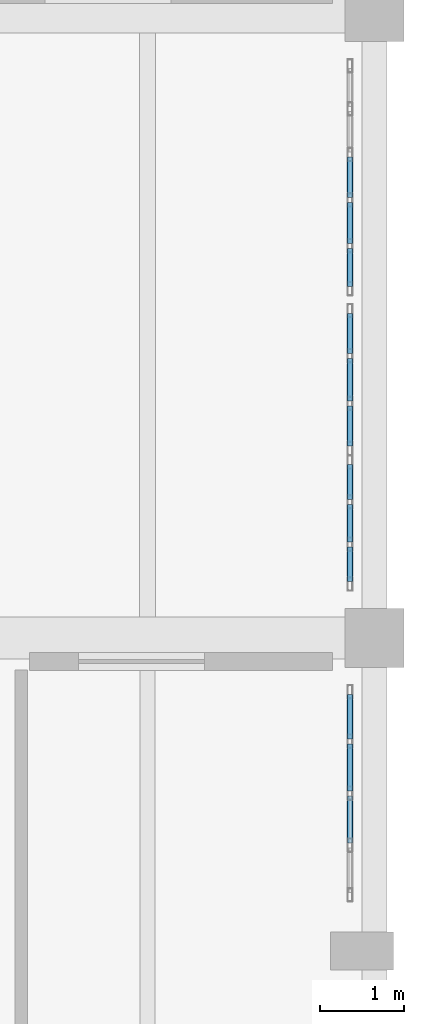
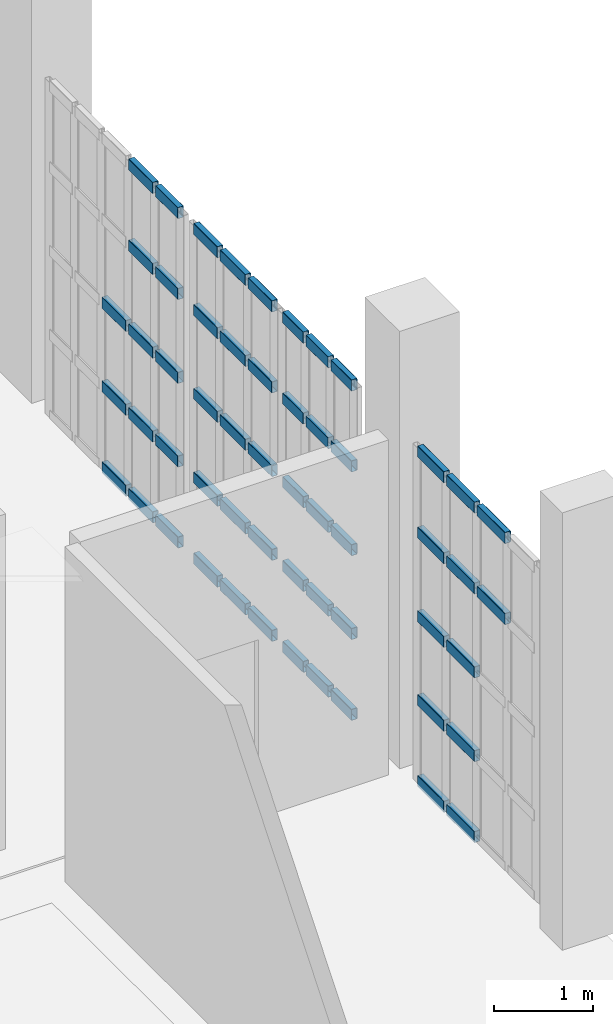
# One storey, part 318 of 372: 55 members, 4 elements without a shape of their own.
"""IFC4 building model written with IfcOpenShell, lengths in metres."""

import ifcopenshell
import ifcopenshell.guid

model = None  # the IFC model being written
_history = None  # IfcOwnerHistory: only IFC2X3 demands one
_inside = {}  # id of a spatial element -> (the spatial element, [elements in it])
_under = {}  # id of a project, library or spatial element -> (it, [spatial elements below it])
_declared = {}  # id of a project -> (the project, [libraries it declares])
_typed = {}  # id of a type object -> (the type object, [elements of that type])
_made_of = {}  # id of a material, layer set ... -> (it, [elements and type objects made of it])


def new_model(schema):
    """Start an empty IFC model of exactly this schema.

    Asked for "IFC4X3", IfcOpenShell would pick the latest addendum, in which some entities
    have other attributes; the version numbers below select the first issue.
    IFC2X3 requires an IfcOwnerHistory on every rooted entity: one is made here for all.
    """
    global model, _history
    if schema == "IFC4X3":
        model = ifcopenshell.file(schema_version=(4, 3, 0, 0))
    else:
        model = ifcopenshell.file(schema=schema)
    _inside.clear()
    _under.clear()
    _declared.clear()
    _typed.clear()
    _made_of.clear()
    _history = None
    if model.schema == "IFC2X3":
        org = make("IfcOrganization", Name="unknown")
        user = make(
            "IfcPersonAndOrganization",
            ThePerson=make("IfcPerson", FamilyName="unknown"),
            TheOrganization=org,
        )
        app = make(
            "IfcApplication",
            ApplicationDeveloper=org,
            Version="unknown",
            ApplicationFullName="unknown",
            ApplicationIdentifier="unknown",
        )
        _history = make(
            "IfcOwnerHistory",
            OwningUser=user,
            OwningApplication=app,
            ChangeAction="ADDED",
            CreationDate=0,
        )
    return model


def make(cls, **values):
    """One entity of the class cls with the attributes given. An attribute that is None is left unset."""
    return model.create_entity(
        cls, **{name: value for name, value in values.items() if value is not None}
    )


def rooted(cls, **values):
    """An entity with a GlobalId (a new one), such as an element, a storey or a relation."""
    return make(cls, GlobalId=ifcopenshell.guid.new(), OwnerHistory=_history, **values)


def si_unit(unit_type, name, prefix=None):
    """IfcSIUnit, for example si_unit("LENGTHUNIT", "METRE", prefix="MILLI")."""
    return make("IfcSIUnit", UnitType=unit_type, Prefix=prefix, Name=name)


def assignment(units):
    """IfcUnitAssignment: the units of a project."""
    return None if units is None else make("IfcUnitAssignment", Units=units)


def point(xyz):
    """IfcCartesianPoint."""
    return None if xyz is None else make("IfcCartesianPoint", Coordinates=xyz)


def direction(xyz):
    """IfcDirection."""
    return None if xyz is None else make("IfcDirection", DirectionRatios=xyz)


def frame(location, z_axis=None, x_axis=None):
    """IfcAxis2Placement3D, a coordinate frame: its origin and axes. An axis left out is left unset."""
    return make(
        "IfcAxis2Placement3D",
        Location=point(location),
        Axis=direction(z_axis),
        RefDirection=direction(x_axis),
    )


def frame_2d(location, x_axis=None):
    """IfcAxis2Placement2D, a coordinate frame in the plane: its origin and x axis."""
    return make(
        "IfcAxis2Placement2D", Location=point(location), RefDirection=direction(x_axis)
    )


def origin():
    """The frame at (0, 0, 0) with its axes left unset."""
    return frame((0.0, 0.0, 0.0))


def origin_2d():
    """The frame at (0, 0) in the plane with its x axis left unset."""
    return frame_2d((0.0, 0.0))


def place(relative_to, where):
    """IfcLocalPlacement: puts the frame where relative to a parent placement (None: the world)."""
    return make(
        "IfcLocalPlacement", PlacementRelTo=relative_to, RelativePlacement=where
    )


def context(
    kind, dimensions, precision=None, world=None, true_north=None, identifier=None
):
    """IfcGeometricRepresentationContext, for example the 3D "Model" context."""
    return make(
        "IfcGeometricRepresentationContext",
        ContextIdentifier=identifier,
        ContextType=kind,
        CoordinateSpaceDimension=dimensions,
        Precision=precision,
        WorldCoordinateSystem=world,
        TrueNorth=true_north,
    )


def subcontext(parent, identifier, kind, view, scale=None):
    """IfcGeometricRepresentationSubContext, for example "Body" below "Model"."""
    return make(
        "IfcGeometricRepresentationSubContext",
        ContextIdentifier=identifier,
        ContextType=kind,
        ParentContext=parent,
        TargetScale=scale,
        TargetView=view,
    )


def project(units=None, contexts=None):
    """IfcProject with its units and contexts."""
    return rooted(
        "IfcProject",
        Name="project",
        RepresentationContexts=contexts,
        UnitsInContext=assignment(units),
    )


def spatial(cls, under=None, at=None, **own):
    """A site, building, storey or space (cls), placed at a placement, below another one or the project."""
    s = rooted(cls, ObjectPlacement=at, **own)
    if under is not None:
        _under.setdefault(under.id(), (under, []))[1].append(s)
    return s


def profile(cls, at=None, kind="AREA", **sizes):
    """A parametric profile (cls). Its sizes go by their IFC names, for example OverallWidth=200.0."""
    return make(cls, ProfileType=kind, Position=at, **sizes)


def hollow_rectangle(**sizes):
    """IfcRectangleHollowProfileDef."""
    return profile("IfcRectangleHollowProfileDef", **sizes)


def extrude(swept, where, along, depth):
    """IfcExtrudedAreaSolid: the profile swept, set in the frame where, extruded along a direction by depth."""
    return make(
        "IfcExtrudedAreaSolid",
        SweptArea=swept,
        Position=where,
        ExtrudedDirection=direction(along),
        Depth=depth,
    )


def shape(context_of_items, identifier, shape_type, items):
    """IfcShapeRepresentation: the items that make up one representation, for example the "Body"."""
    return make(
        "IfcShapeRepresentation",
        ContextOfItems=context_of_items,
        RepresentationIdentifier=identifier,
        RepresentationType=shape_type,
        Items=items,
    )


def material(Name=None, Category=None):
    """IfcMaterial."""
    return make("IfcMaterial", Name=Name, Category=Category)


def material_profile(
    of_material, cross_section, Name=None, Category=None, Priority=None
):
    """IfcMaterialProfile: a cross section and its material."""
    return make(
        "IfcMaterialProfile",
        Name=Name,
        Material=of_material,
        Profile=cross_section,
        Priority=Priority,
        Category=Category,
    )


def profile_set(profiles, Name=None, composite=None):
    """IfcMaterialProfileSet."""
    return make(
        "IfcMaterialProfileSet",
        Name=Name,
        MaterialProfiles=profiles,
        CompositeProfile=composite,
    )


def made_of(thing, what):
    """Note that an element or type object is made of a material, layer set ...; save() writes the relation."""
    if what is not None:
        _made_of.setdefault(what.id(), (what, []))[1].append(thing)
    return thing


def type_object(cls, material=None, **own):
    """A type object (cls), such as IfcWallType, which elements share."""
    return made_of(rooted(cls, **own), material)


def element(
    cls,
    number,
    at=None,
    inside=None,
    cuts=None,
    type_object=None,
    material=None,
    context=None,
    identifier="Body",
    shape_type=None,
    held_by="IfcProductDefinitionShape",
    body=None,
    shapes=None,
    **own,
):
    """One element of the class cls, such as IfcWall. Its Tag is "e" and its number.

    at: its placement. inside: the storey or other place that contains it. cuts: it is an
    opening in that element (IfcRelVoidsElement). A single representation is given by context,
    identifier, shape_type and body (its items); several are given by shapes. held_by: the class
    of the entity that holds the representations. save() writes the other relations.
    """
    e = rooted(cls, Tag="e%d" % number, ObjectPlacement=at, **own)
    if body is not None:
        shapes = [shape(context, identifier, shape_type, body)]
    if shapes is not None:
        e.Representation = make(held_by, Representations=shapes)
    if inside is not None:
        _inside.setdefault(inside.id(), (inside, []))[1].append(e)
    if cuts is not None:
        rooted(
            "IfcRelVoidsElement", RelatingBuildingElement=cuts, RelatedOpeningElement=e
        )
    if type_object is not None:
        _typed.setdefault(type_object.id(), (type_object, []))[1].append(e)
    return made_of(e, material)


def aggregate(whole, parts):
    """IfcRelAggregates: a whole, such as a stair, and the parts it consists of."""
    return rooted("IfcRelAggregates", RelatingObject=whole, RelatedObjects=parts)


def save(model, path):
    """Write the relations noted so far, then the file.

    IfcRelAggregates (storeys below a building ...), IfcRelContainedInSpatialStructure (elements
    in a storey), IfcRelDefinesByType, IfcRelAssociatesMaterial and IfcRelDeclares: one each for
    every whole, place, type object, material and project.
    """
    for whole, parts in _under.values():
        aggregate(whole, parts)
    for where, things in _inside.values():
        rooted(
            "IfcRelContainedInSpatialStructure",
            RelatedElements=things,
            RelatingStructure=where,
        )
    for kind, things in _typed.values():
        rooted("IfcRelDefinesByType", RelatedObjects=things, RelatingType=kind)
    for what, things in _made_of.values():
        rooted("IfcRelAssociatesMaterial", RelatedObjects=things, RelatingMaterial=what)
    for by, libraries in _declared.values():
        rooted("IfcRelDeclares", RelatingContext=by, RelatedDefinitions=libraries)
    model.write(path)


model = new_model("IFC4")

# Units and contexts
model_context = context("Model", 3, precision=1e-05, world=origin(), true_north=direction((0.0, 1.0)))
body_context = subcontext(model_context, "Body", "Model", "MODEL_VIEW")
ifc_project = project(units=[si_unit("LENGTHUNIT", "METRE"), si_unit("AREAUNIT", "SQUARE_METRE"), si_unit("VOLUMEUNIT", "CUBIC_METRE"), si_unit("PLANEANGLEUNIT", "RADIAN"), si_unit("MASSUNIT", "GRAM", prefix="KILO")], contexts=[model_context])

# Site, building, storey
site_placement = place(None, origin())
site = spatial("IfcSite", under=ifc_project, at=site_placement, CompositionType="ELEMENT")
building_placement = place(site_placement, origin())
building = spatial("IfcBuilding", under=site, at=building_placement, Name="Kaelora Sail Theatre", CompositionType="ELEMENT")
storey_placement = place(building_placement, origin())
storey = spatial("IfcBuildingStorey", under=building, at=storey_placement, Name="L00", CompositionType="ELEMENT", Elevation=0.0)

# Curtain wall, members
ifc_material_1 = material(Name="Anodised aluminium and solar-control low-E IGU", Category="aluminium")
curtain_wall_type = type_object("IfcCurtainWallType", Name="ARC-CW-CW-FOY1", PredefinedType="NOTDEFINED", material=ifc_material_1)
curtain_wall_1_placement = place(storey_placement, origin())
curtain_wall_1 = element("IfcCurtainWall", 1, at=curtain_wall_1_placement, inside=storey, type_object=curtain_wall_type, Name="Glazed Colonnade/Courtyard Curtain Wall COLE-E-L00-09", PredefinedType="NOTDEFINED")
ifc_material_2 = material(Name="Anodised aluminium 6063-T6", Category="aluminium")
ifc_material_profile = material_profile(ifc_material_2, hollow_rectangle(XDim=0.070068359375, YDim=0.139892578125, WallThickness=0.00390625, InnerFilletRadius=0.00390625, OuterFilletRadius=0.008056640625, at=origin_2d()), Name="ALU-TRAN 70x140x4")
ifc_profile_set = profile_set([ifc_material_profile], Name="Anodised aluminium 6063-T6")
member_type = type_object("IfcMemberType", Name="ARC-MEM-TR-140", PredefinedType="USERDEFINED", material=ifc_profile_set)
member_1_placement = place(storey_placement, frame((163.2099609375, 51.143798828125, 3.102783203125), z_axis=(0.0, 1.0, 0.0), x_axis=(-1.0, 0.0, 0.0)))
member_1 = element("IfcMember", 2, at=member_1_placement, type_object=member_type, Name="CW-FOY1 transom 2.4", ObjectType="TRANSOM", PredefinedType="USERDEFINED", context=body_context, shape_type="SweptSolid", body=[
    extrude(hollow_rectangle(XDim=0.070068359375, YDim=0.139892578125, WallThickness=0.00390625, InnerFilletRadius=0.00390625, OuterFilletRadius=0.008056640625, at=origin_2d()), origin(), (0.0, 0.0, 1.0), 0.55859375),
])
member_2_placement = place(storey_placement, frame((163.2099609375, 51.143798828125, 4.10205078125), z_axis=(0.0, 1.0, 0.0), x_axis=(-1.0, 0.0, 0.0)))
member_2 = element("IfcMember", 3, at=member_2_placement, type_object=member_type, Name="CW-FOY1 transom 2.5", ObjectType="TRANSOM", PredefinedType="USERDEFINED", context=body_context, shape_type="SweptSolid", body=[
    extrude(hollow_rectangle(XDim=0.070068359375, YDim=0.139892578125, WallThickness=0.00390625, InnerFilletRadius=0.00390625, OuterFilletRadius=0.008056640625, at=origin_2d()), origin(), (0.0, 0.0, 1.0), 0.55859375),
])
member_3_placement = place(storey_placement, frame((163.2099609375, 51.762451171875, 0.034912109375), z_axis=(0.0, 1.0, 0.0), x_axis=(-1.0, 0.0, 0.0)))
member_3 = element("IfcMember", 4, at=member_3_placement, type_object=member_type, Name="CW-FOY1 transom 3.1", ObjectType="TRANSOM", PredefinedType="USERDEFINED", context=body_context, shape_type="SweptSolid", body=[
    extrude(hollow_rectangle(XDim=0.070068359375, YDim=0.139892578125, WallThickness=0.00390625, InnerFilletRadius=0.00390625, OuterFilletRadius=0.008056640625, at=origin_2d()), origin(), (0.0, 0.0, 1.0), 0.558837890625),
])
member_4_placement = place(storey_placement, frame((163.2099609375, 51.762451171875, 1.0341796875), z_axis=(0.0, 1.0, 0.0), x_axis=(-1.0, 0.0, 0.0)))
member_4 = element("IfcMember", 5, at=member_4_placement, type_object=member_type, Name="CW-FOY1 transom 3.2", ObjectType="TRANSOM", PredefinedType="USERDEFINED", context=body_context, shape_type="SweptSolid", body=[
    extrude(hollow_rectangle(XDim=0.070068359375, YDim=0.139892578125, WallThickness=0.00390625, InnerFilletRadius=0.00390625, OuterFilletRadius=0.008056640625, at=origin_2d()), origin(), (0.0, 0.0, 1.0), 0.558837890625),
])
member_5_placement = place(storey_placement, frame((163.2099609375, 51.762451171875, 2.068603515625), z_axis=(0.0, 1.0, 0.0), x_axis=(-1.0, 0.0, 0.0)))
member_5 = element("IfcMember", 6, at=member_5_placement, type_object=member_type, Name="CW-FOY1 transom 3.3", ObjectType="TRANSOM", PredefinedType="USERDEFINED", context=body_context, shape_type="SweptSolid", body=[
    extrude(hollow_rectangle(XDim=0.070068359375, YDim=0.139892578125, WallThickness=0.00390625, InnerFilletRadius=0.00390625, OuterFilletRadius=0.008056640625, at=origin_2d()), origin(), (0.0, 0.0, 1.0), 0.558837890625),
])
member_6_placement = place(storey_placement, frame((163.2099609375, 51.762451171875, 3.102783203125), z_axis=(0.0, 1.0, 0.0), x_axis=(-1.0, 0.0, 0.0)))
member_6 = element("IfcMember", 7, at=member_6_placement, type_object=member_type, Name="CW-FOY1 transom 3.4", ObjectType="TRANSOM", PredefinedType="USERDEFINED", context=body_context, shape_type="SweptSolid", body=[
    extrude(hollow_rectangle(XDim=0.070068359375, YDim=0.139892578125, WallThickness=0.00390625, InnerFilletRadius=0.00390625, OuterFilletRadius=0.008056640625, at=origin_2d()), origin(), (0.0, 0.0, 1.0), 0.558837890625),
])
member_7_placement = place(storey_placement, frame((163.2099609375, 51.762451171875, 4.10205078125), z_axis=(0.0, 1.0, 0.0), x_axis=(-1.0, 0.0, 0.0)))
member_7 = element("IfcMember", 8, at=member_7_placement, type_object=member_type, Name="CW-FOY1 transom 3.5", ObjectType="TRANSOM", PredefinedType="USERDEFINED", context=body_context, shape_type="SweptSolid", body=[
    extrude(hollow_rectangle(XDim=0.070068359375, YDim=0.139892578125, WallThickness=0.00390625, InnerFilletRadius=0.00390625, OuterFilletRadius=0.008056640625, at=origin_2d()), origin(), (0.0, 0.0, 1.0), 0.558837890625),
])
member_8_placement = place(storey_placement, frame((163.2099609375, 52.38134765625, 0.034912109375), z_axis=(0.0, 1.0, 0.0), x_axis=(-1.0, 0.0, 0.0)))
member_8 = element("IfcMember", 9, at=member_8_placement, type_object=member_type, Name="CW-FOY1 transom 4.1", ObjectType="TRANSOM", PredefinedType="USERDEFINED", context=body_context, shape_type="SweptSolid", body=[
    extrude(hollow_rectangle(XDim=0.070068359375, YDim=0.139892578125, WallThickness=0.00390625, InnerFilletRadius=0.00390625, OuterFilletRadius=0.008056640625, at=origin_2d()), origin(), (0.0, 0.0, 1.0), 0.528564453125),
])
member_9_placement = place(storey_placement, frame((163.2099609375, 52.38134765625, 1.0341796875), z_axis=(0.0, 1.0, 0.0), x_axis=(-1.0, 0.0, 0.0)))
member_9 = element("IfcMember", 10, at=member_9_placement, type_object=member_type, Name="CW-FOY1 transom 4.2", ObjectType="TRANSOM", PredefinedType="USERDEFINED", context=body_context, shape_type="SweptSolid", body=[
    extrude(hollow_rectangle(XDim=0.070068359375, YDim=0.139892578125, WallThickness=0.00390625, InnerFilletRadius=0.00390625, OuterFilletRadius=0.008056640625, at=origin_2d()), origin(), (0.0, 0.0, 1.0), 0.528564453125),
])
member_10_placement = place(storey_placement, frame((163.2099609375, 52.38134765625, 2.068603515625), z_axis=(0.0, 1.0, 0.0), x_axis=(-1.0, 0.0, 0.0)))
member_10 = element("IfcMember", 11, at=member_10_placement, type_object=member_type, Name="CW-FOY1 transom 4.3", ObjectType="TRANSOM", PredefinedType="USERDEFINED", context=body_context, shape_type="SweptSolid", body=[
    extrude(hollow_rectangle(XDim=0.070068359375, YDim=0.139892578125, WallThickness=0.00390625, InnerFilletRadius=0.00390625, OuterFilletRadius=0.008056640625, at=origin_2d()), origin(), (0.0, 0.0, 1.0), 0.528564453125),
])
member_11_placement = place(storey_placement, frame((163.2099609375, 52.38134765625, 3.102783203125), z_axis=(0.0, 1.0, 0.0), x_axis=(-1.0, 0.0, 0.0)))
member_11 = element("IfcMember", 12, at=member_11_placement, type_object=member_type, Name="CW-FOY1 transom 4.4", ObjectType="TRANSOM", PredefinedType="USERDEFINED", context=body_context, shape_type="SweptSolid", body=[
    extrude(hollow_rectangle(XDim=0.070068359375, YDim=0.139892578125, WallThickness=0.00390625, InnerFilletRadius=0.00390625, OuterFilletRadius=0.008056640625, at=origin_2d()), origin(), (0.0, 0.0, 1.0), 0.528564453125),
])
member_12_placement = place(storey_placement, frame((163.2099609375, 52.38134765625, 4.10205078125), z_axis=(0.0, 1.0, 0.0), x_axis=(-1.0, 0.0, 0.0)))
member_12 = element("IfcMember", 13, at=member_12_placement, type_object=member_type, Name="CW-FOY1 transom 4.5", ObjectType="TRANSOM", PredefinedType="USERDEFINED", context=body_context, shape_type="SweptSolid", body=[
    extrude(hollow_rectangle(XDim=0.070068359375, YDim=0.139892578125, WallThickness=0.00390625, InnerFilletRadius=0.00390625, OuterFilletRadius=0.008056640625, at=origin_2d()), origin(), (0.0, 0.0, 1.0), 0.528564453125),
])
aggregate(curtain_wall_1, [member_1, member_2, member_3, member_4, member_5, member_6, member_7, member_8, member_9, member_10, member_11, member_12])

curtain_wall_2_placement = place(storey_placement, origin())
curtain_wall_2 = element("IfcCurtainWall", 14, at=curtain_wall_2_placement, inside=storey, type_object=curtain_wall_type, Name="Glazed Colonnade/Courtyard Curtain Wall COLE-E-L00-10", PredefinedType="NOTDEFINED")
member_13_placement = place(storey_placement, frame((163.2099609375, 54.25, 0.034912109375), z_axis=(0.0, 1.0, 0.0), x_axis=(-1.0, 0.0, 0.0)))
member_13 = element("IfcMember", 15, at=member_13_placement, type_object=member_type, Name="CW-FOY1 transom 1.1", ObjectType="TRANSOM", PredefinedType="USERDEFINED", context=body_context, shape_type="SweptSolid", body=[
    extrude(hollow_rectangle(XDim=0.070068359375, YDim=0.139892578125, WallThickness=0.00390625, InnerFilletRadius=0.00390625, OuterFilletRadius=0.008056640625, at=origin_2d()), origin(), (0.0, 0.0, 1.0), 0.413330078125),
])
member_14_placement = place(storey_placement, frame((163.2099609375, 54.25, 1.0341796875), z_axis=(0.0, 1.0, 0.0), x_axis=(-1.0, 0.0, 0.0)))
member_14 = element("IfcMember", 16, at=member_14_placement, type_object=member_type, Name="CW-FOY1 transom 1.2", ObjectType="TRANSOM", PredefinedType="USERDEFINED", context=body_context, shape_type="SweptSolid", body=[
    extrude(hollow_rectangle(XDim=0.070068359375, YDim=0.139892578125, WallThickness=0.00390625, InnerFilletRadius=0.00390625, OuterFilletRadius=0.008056640625, at=origin_2d()), origin(), (0.0, 0.0, 1.0), 0.413330078125),
])
member_15_placement = place(storey_placement, frame((163.2099609375, 54.25, 2.068603515625), z_axis=(0.0, 1.0, 0.0), x_axis=(-1.0, 0.0, 0.0)))
member_15 = element("IfcMember", 17, at=member_15_placement, type_object=member_type, Name="CW-FOY1 transom 1.3", ObjectType="TRANSOM", PredefinedType="USERDEFINED", context=body_context, shape_type="SweptSolid", body=[
    extrude(hollow_rectangle(XDim=0.070068359375, YDim=0.139892578125, WallThickness=0.00390625, InnerFilletRadius=0.00390625, OuterFilletRadius=0.008056640625, at=origin_2d()), origin(), (0.0, 0.0, 1.0), 0.413330078125),
])
member_16_placement = place(storey_placement, frame((163.2099609375, 54.25, 3.102783203125), z_axis=(0.0, 1.0, 0.0), x_axis=(-1.0, 0.0, 0.0)))
member_16 = element("IfcMember", 18, at=member_16_placement, type_object=member_type, Name="CW-FOY1 transom 1.4", ObjectType="TRANSOM", PredefinedType="USERDEFINED", context=body_context, shape_type="SweptSolid", body=[
    extrude(hollow_rectangle(XDim=0.070068359375, YDim=0.139892578125, WallThickness=0.00390625, InnerFilletRadius=0.00390625, OuterFilletRadius=0.008056640625, at=origin_2d()), origin(), (0.0, 0.0, 1.0), 0.413330078125),
])
member_17_placement = place(storey_placement, frame((163.2099609375, 54.25, 4.10205078125), z_axis=(0.0, 1.0, 0.0), x_axis=(-1.0, 0.0, 0.0)))
member_17 = element("IfcMember", 19, at=member_17_placement, type_object=member_type, Name="CW-FOY1 transom 1.5", ObjectType="TRANSOM", PredefinedType="USERDEFINED", context=body_context, shape_type="SweptSolid", body=[
    extrude(hollow_rectangle(XDim=0.070068359375, YDim=0.139892578125, WallThickness=0.00390625, InnerFilletRadius=0.00390625, OuterFilletRadius=0.008056640625, at=origin_2d()), origin(), (0.0, 0.0, 1.0), 0.413330078125),
])
member_18_placement = place(storey_placement, frame((163.2099609375, 54.723388671875, 0.034912109375), z_axis=(0.0, 1.0, 0.0), x_axis=(-1.0, 0.0, 0.0)))
member_18 = element("IfcMember", 20, at=member_18_placement, type_object=member_type, Name="CW-FOY1 transom 2.1", ObjectType="TRANSOM", PredefinedType="USERDEFINED", context=body_context, shape_type="SweptSolid", body=[
    extrude(hollow_rectangle(XDim=0.070068359375, YDim=0.139892578125, WallThickness=0.00390625, InnerFilletRadius=0.00390625, OuterFilletRadius=0.008056640625, at=origin_2d()), origin(), (0.0, 0.0, 1.0), 0.443359375),
])
member_19_placement = place(storey_placement, frame((163.2099609375, 54.723388671875, 1.0341796875), z_axis=(0.0, 1.0, 0.0), x_axis=(-1.0, 0.0, 0.0)))
member_19 = element("IfcMember", 21, at=member_19_placement, type_object=member_type, Name="CW-FOY1 transom 2.2", ObjectType="TRANSOM", PredefinedType="USERDEFINED", context=body_context, shape_type="SweptSolid", body=[
    extrude(hollow_rectangle(XDim=0.070068359375, YDim=0.139892578125, WallThickness=0.00390625, InnerFilletRadius=0.00390625, OuterFilletRadius=0.008056640625, at=origin_2d()), origin(), (0.0, 0.0, 1.0), 0.443359375),
])
member_20_placement = place(storey_placement, frame((163.2099609375, 54.723388671875, 2.068603515625), z_axis=(0.0, 1.0, 0.0), x_axis=(-1.0, 0.0, 0.0)))
member_20 = element("IfcMember", 22, at=member_20_placement, type_object=member_type, Name="CW-FOY1 transom 2.3", ObjectType="TRANSOM", PredefinedType="USERDEFINED", context=body_context, shape_type="SweptSolid", body=[
    extrude(hollow_rectangle(XDim=0.070068359375, YDim=0.139892578125, WallThickness=0.00390625, InnerFilletRadius=0.00390625, OuterFilletRadius=0.008056640625, at=origin_2d()), origin(), (0.0, 0.0, 1.0), 0.443359375),
])
member_21_placement = place(storey_placement, frame((163.2099609375, 54.723388671875, 3.102783203125), z_axis=(0.0, 1.0, 0.0), x_axis=(-1.0, 0.0, 0.0)))
member_21 = element("IfcMember", 23, at=member_21_placement, type_object=member_type, Name="CW-FOY1 transom 2.4", ObjectType="TRANSOM", PredefinedType="USERDEFINED", context=body_context, shape_type="SweptSolid", body=[
    extrude(hollow_rectangle(XDim=0.070068359375, YDim=0.139892578125, WallThickness=0.00390625, InnerFilletRadius=0.00390625, OuterFilletRadius=0.008056640625, at=origin_2d()), origin(), (0.0, 0.0, 1.0), 0.443359375),
])
member_22_placement = place(storey_placement, frame((163.2099609375, 54.723388671875, 4.10205078125), z_axis=(0.0, 1.0, 0.0), x_axis=(-1.0, 0.0, 0.0)))
member_22 = element("IfcMember", 24, at=member_22_placement, type_object=member_type, Name="CW-FOY1 transom 2.5", ObjectType="TRANSOM", PredefinedType="USERDEFINED", context=body_context, shape_type="SweptSolid", body=[
    extrude(hollow_rectangle(XDim=0.070068359375, YDim=0.139892578125, WallThickness=0.00390625, InnerFilletRadius=0.00390625, OuterFilletRadius=0.008056640625, at=origin_2d()), origin(), (0.0, 0.0, 1.0), 0.443359375),
])
member_23_placement = place(storey_placement, frame((163.2099609375, 55.2265625, 0.034912109375), z_axis=(0.0, 1.0, 0.0), x_axis=(-1.0, 0.0, 0.0)))
member_23 = element("IfcMember", 25, at=member_23_placement, type_object=member_type, Name="CW-FOY1 transom 3.1", ObjectType="TRANSOM", PredefinedType="USERDEFINED", context=body_context, shape_type="SweptSolid", body=[
    extrude(hollow_rectangle(XDim=0.070068359375, YDim=0.139892578125, WallThickness=0.00390625, InnerFilletRadius=0.00390625, OuterFilletRadius=0.008056640625, at=origin_2d()), origin(), (0.0, 0.0, 1.0), 0.413330078125),
])
member_24_placement = place(storey_placement, frame((163.2099609375, 55.2265625, 1.0341796875), z_axis=(0.0, 1.0, 0.0), x_axis=(-1.0, 0.0, 0.0)))
member_24 = element("IfcMember", 26, at=member_24_placement, type_object=member_type, Name="CW-FOY1 transom 3.2", ObjectType="TRANSOM", PredefinedType="USERDEFINED", context=body_context, shape_type="SweptSolid", body=[
    extrude(hollow_rectangle(XDim=0.070068359375, YDim=0.139892578125, WallThickness=0.00390625, InnerFilletRadius=0.00390625, OuterFilletRadius=0.008056640625, at=origin_2d()), origin(), (0.0, 0.0, 1.0), 0.413330078125),
])
member_25_placement = place(storey_placement, frame((163.2099609375, 55.2265625, 2.068603515625), z_axis=(0.0, 1.0, 0.0), x_axis=(-1.0, 0.0, 0.0)))
member_25 = element("IfcMember", 27, at=member_25_placement, type_object=member_type, Name="CW-FOY1 transom 3.3", ObjectType="TRANSOM", PredefinedType="USERDEFINED", context=body_context, shape_type="SweptSolid", body=[
    extrude(hollow_rectangle(XDim=0.070068359375, YDim=0.139892578125, WallThickness=0.00390625, InnerFilletRadius=0.00390625, OuterFilletRadius=0.008056640625, at=origin_2d()), origin(), (0.0, 0.0, 1.0), 0.413330078125),
])
member_26_placement = place(storey_placement, frame((163.2099609375, 55.2265625, 3.102783203125), z_axis=(0.0, 1.0, 0.0), x_axis=(-1.0, 0.0, 0.0)))
member_26 = element("IfcMember", 28, at=member_26_placement, type_object=member_type, Name="CW-FOY1 transom 3.4", ObjectType="TRANSOM", PredefinedType="USERDEFINED", context=body_context, shape_type="SweptSolid", body=[
    extrude(hollow_rectangle(XDim=0.070068359375, YDim=0.139892578125, WallThickness=0.00390625, InnerFilletRadius=0.00390625, OuterFilletRadius=0.008056640625, at=origin_2d()), origin(), (0.0, 0.0, 1.0), 0.413330078125),
])
member_27_placement = place(storey_placement, frame((163.2099609375, 55.2265625, 4.10205078125), z_axis=(0.0, 1.0, 0.0), x_axis=(-1.0, 0.0, 0.0)))
member_27 = element("IfcMember", 29, at=member_27_placement, type_object=member_type, Name="CW-FOY1 transom 3.5", ObjectType="TRANSOM", PredefinedType="USERDEFINED", context=body_context, shape_type="SweptSolid", body=[
    extrude(hollow_rectangle(XDim=0.070068359375, YDim=0.139892578125, WallThickness=0.00390625, InnerFilletRadius=0.00390625, OuterFilletRadius=0.008056640625, at=origin_2d()), origin(), (0.0, 0.0, 1.0), 0.413330078125),
])
aggregate(curtain_wall_2, [member_13, member_14, member_15, member_16, member_17, member_18, member_19, member_20, member_21, member_22, member_23, member_24, member_25, member_26, member_27])

curtain_wall_3_placement = place(storey_placement, origin())
curtain_wall_3 = element("IfcCurtainWall", 30, at=curtain_wall_3_placement, inside=storey, type_object=curtain_wall_type, Name="Glazed Colonnade/Courtyard Curtain Wall COLE-E-L00-11", PredefinedType="NOTDEFINED")
member_28_placement = place(storey_placement, frame((163.2099609375, 55.860107421875, 0.034912109375), z_axis=(0.0, 1.0, 0.0), x_axis=(-1.0, 0.0, 0.0)))
member_28 = element("IfcMember", 31, at=member_28_placement, type_object=member_type, Name="CW-FOY1 transom 1.1", ObjectType="TRANSOM", PredefinedType="USERDEFINED", context=body_context, shape_type="SweptSolid", body=[
    extrude(hollow_rectangle(XDim=0.070068359375, YDim=0.139892578125, WallThickness=0.00390625, InnerFilletRadius=0.00390625, OuterFilletRadius=0.008056640625, at=origin_2d()), origin(), (0.0, 0.0, 1.0), 0.4765625),
])
member_29_placement = place(storey_placement, frame((163.2099609375, 55.860107421875, 1.0341796875), z_axis=(0.0, 1.0, 0.0), x_axis=(-1.0, 0.0, 0.0)))
member_29 = element("IfcMember", 32, at=member_29_placement, type_object=member_type, Name="CW-FOY1 transom 1.2", ObjectType="TRANSOM", PredefinedType="USERDEFINED", context=body_context, shape_type="SweptSolid", body=[
    extrude(hollow_rectangle(XDim=0.070068359375, YDim=0.139892578125, WallThickness=0.00390625, InnerFilletRadius=0.00390625, OuterFilletRadius=0.008056640625, at=origin_2d()), origin(), (0.0, 0.0, 1.0), 0.4765625),
])
member_30_placement = place(storey_placement, frame((163.2099609375, 55.860107421875, 2.068603515625), z_axis=(0.0, 1.0, 0.0), x_axis=(-1.0, 0.0, 0.0)))
member_30 = element("IfcMember", 33, at=member_30_placement, type_object=member_type, Name="CW-FOY1 transom 1.3", ObjectType="TRANSOM", PredefinedType="USERDEFINED", context=body_context, shape_type="SweptSolid", body=[
    extrude(hollow_rectangle(XDim=0.070068359375, YDim=0.139892578125, WallThickness=0.00390625, InnerFilletRadius=0.00390625, OuterFilletRadius=0.008056640625, at=origin_2d()), origin(), (0.0, 0.0, 1.0), 0.4765625),
])
member_31_placement = place(storey_placement, frame((163.2099609375, 55.860107421875, 3.102783203125), z_axis=(0.0, 1.0, 0.0), x_axis=(-1.0, 0.0, 0.0)))
member_31 = element("IfcMember", 34, at=member_31_placement, type_object=member_type, Name="CW-FOY1 transom 1.4", ObjectType="TRANSOM", PredefinedType="USERDEFINED", context=body_context, shape_type="SweptSolid", body=[
    extrude(hollow_rectangle(XDim=0.070068359375, YDim=0.139892578125, WallThickness=0.00390625, InnerFilletRadius=0.00390625, OuterFilletRadius=0.008056640625, at=origin_2d()), origin(), (0.0, 0.0, 1.0), 0.4765625),
])
member_32_placement = place(storey_placement, frame((163.2099609375, 55.860107421875, 4.10205078125), z_axis=(0.0, 1.0, 0.0), x_axis=(-1.0, 0.0, 0.0)))
member_32 = element("IfcMember", 35, at=member_32_placement, type_object=member_type, Name="CW-FOY1 transom 1.5", ObjectType="TRANSOM", PredefinedType="USERDEFINED", context=body_context, shape_type="SweptSolid", body=[
    extrude(hollow_rectangle(XDim=0.070068359375, YDim=0.139892578125, WallThickness=0.00390625, InnerFilletRadius=0.00390625, OuterFilletRadius=0.008056640625, at=origin_2d()), origin(), (0.0, 0.0, 1.0), 0.4765625),
])
member_33_placement = place(storey_placement, frame((163.2099609375, 56.396728515625, 0.034912109375), z_axis=(0.0, 1.0, 0.0), x_axis=(-1.0, 0.0, 0.0)))
member_33 = element("IfcMember", 36, at=member_33_placement, type_object=member_type, Name="CW-FOY1 transom 2.1", ObjectType="TRANSOM", PredefinedType="USERDEFINED", context=body_context, shape_type="SweptSolid", body=[
    extrude(hollow_rectangle(XDim=0.070068359375, YDim=0.139892578125, WallThickness=0.00390625, InnerFilletRadius=0.00390625, OuterFilletRadius=0.008056640625, at=origin_2d()), origin(), (0.0, 0.0, 1.0), 0.506591796875),
])
member_34_placement = place(storey_placement, frame((163.2099609375, 56.396728515625, 1.0341796875), z_axis=(0.0, 1.0, 0.0), x_axis=(-1.0, 0.0, 0.0)))
member_34 = element("IfcMember", 37, at=member_34_placement, type_object=member_type, Name="CW-FOY1 transom 2.2", ObjectType="TRANSOM", PredefinedType="USERDEFINED", context=body_context, shape_type="SweptSolid", body=[
    extrude(hollow_rectangle(XDim=0.070068359375, YDim=0.139892578125, WallThickness=0.00390625, InnerFilletRadius=0.00390625, OuterFilletRadius=0.008056640625, at=origin_2d()), origin(), (0.0, 0.0, 1.0), 0.506591796875),
])
member_35_placement = place(storey_placement, frame((163.2099609375, 56.396728515625, 2.068603515625), z_axis=(0.0, 1.0, 0.0), x_axis=(-1.0, 0.0, 0.0)))
member_35 = element("IfcMember", 38, at=member_35_placement, type_object=member_type, Name="CW-FOY1 transom 2.3", ObjectType="TRANSOM", PredefinedType="USERDEFINED", context=body_context, shape_type="SweptSolid", body=[
    extrude(hollow_rectangle(XDim=0.070068359375, YDim=0.139892578125, WallThickness=0.00390625, InnerFilletRadius=0.00390625, OuterFilletRadius=0.008056640625, at=origin_2d()), origin(), (0.0, 0.0, 1.0), 0.506591796875),
])
member_36_placement = place(storey_placement, frame((163.2099609375, 56.396728515625, 3.102783203125), z_axis=(0.0, 1.0, 0.0), x_axis=(-1.0, 0.0, 0.0)))
member_36 = element("IfcMember", 39, at=member_36_placement, type_object=member_type, Name="CW-FOY1 transom 2.4", ObjectType="TRANSOM", PredefinedType="USERDEFINED", context=body_context, shape_type="SweptSolid", body=[
    extrude(hollow_rectangle(XDim=0.070068359375, YDim=0.139892578125, WallThickness=0.00390625, InnerFilletRadius=0.00390625, OuterFilletRadius=0.008056640625, at=origin_2d()), origin(), (0.0, 0.0, 1.0), 0.506591796875),
])
member_37_placement = place(storey_placement, frame((163.2099609375, 56.396728515625, 4.10205078125), z_axis=(0.0, 1.0, 0.0), x_axis=(-1.0, 0.0, 0.0)))
member_37 = element("IfcMember", 40, at=member_37_placement, type_object=member_type, Name="CW-FOY1 transom 2.5", ObjectType="TRANSOM", PredefinedType="USERDEFINED", context=body_context, shape_type="SweptSolid", body=[
    extrude(hollow_rectangle(XDim=0.070068359375, YDim=0.139892578125, WallThickness=0.00390625, InnerFilletRadius=0.00390625, OuterFilletRadius=0.008056640625, at=origin_2d()), origin(), (0.0, 0.0, 1.0), 0.506591796875),
])
member_38_placement = place(storey_placement, frame((163.2099609375, 56.96337890625, 0.034912109375), z_axis=(0.0, 1.0, 0.0), x_axis=(-1.0, 0.0, 0.0)))
member_38 = element("IfcMember", 41, at=member_38_placement, type_object=member_type, Name="CW-FOY1 transom 3.1", ObjectType="TRANSOM", PredefinedType="USERDEFINED", context=body_context, shape_type="SweptSolid", body=[
    extrude(hollow_rectangle(XDim=0.070068359375, YDim=0.139892578125, WallThickness=0.00390625, InnerFilletRadius=0.00390625, OuterFilletRadius=0.008056640625, at=origin_2d()), origin(), (0.0, 0.0, 1.0), 0.4765625),
])
member_39_placement = place(storey_placement, frame((163.2099609375, 56.96337890625, 1.0341796875), z_axis=(0.0, 1.0, 0.0), x_axis=(-1.0, 0.0, 0.0)))
member_39 = element("IfcMember", 42, at=member_39_placement, type_object=member_type, Name="CW-FOY1 transom 3.2", ObjectType="TRANSOM", PredefinedType="USERDEFINED", context=body_context, shape_type="SweptSolid", body=[
    extrude(hollow_rectangle(XDim=0.070068359375, YDim=0.139892578125, WallThickness=0.00390625, InnerFilletRadius=0.00390625, OuterFilletRadius=0.008056640625, at=origin_2d()), origin(), (0.0, 0.0, 1.0), 0.4765625),
])
member_40_placement = place(storey_placement, frame((163.2099609375, 56.96337890625, 2.068603515625), z_axis=(0.0, 1.0, 0.0), x_axis=(-1.0, 0.0, 0.0)))
member_40 = element("IfcMember", 43, at=member_40_placement, type_object=member_type, Name="CW-FOY1 transom 3.3", ObjectType="TRANSOM", PredefinedType="USERDEFINED", context=body_context, shape_type="SweptSolid", body=[
    extrude(hollow_rectangle(XDim=0.070068359375, YDim=0.139892578125, WallThickness=0.00390625, InnerFilletRadius=0.00390625, OuterFilletRadius=0.008056640625, at=origin_2d()), origin(), (0.0, 0.0, 1.0), 0.4765625),
])
member_41_placement = place(storey_placement, frame((163.2099609375, 56.96337890625, 3.102783203125), z_axis=(0.0, 1.0, 0.0), x_axis=(-1.0, 0.0, 0.0)))
member_41 = element("IfcMember", 44, at=member_41_placement, type_object=member_type, Name="CW-FOY1 transom 3.4", ObjectType="TRANSOM", PredefinedType="USERDEFINED", context=body_context, shape_type="SweptSolid", body=[
    extrude(hollow_rectangle(XDim=0.070068359375, YDim=0.139892578125, WallThickness=0.00390625, InnerFilletRadius=0.00390625, OuterFilletRadius=0.008056640625, at=origin_2d()), origin(), (0.0, 0.0, 1.0), 0.4765625),
])
member_42_placement = place(storey_placement, frame((163.2099609375, 56.96337890625, 4.10205078125), z_axis=(0.0, 1.0, 0.0), x_axis=(-1.0, 0.0, 0.0)))
member_42 = element("IfcMember", 45, at=member_42_placement, type_object=member_type, Name="CW-FOY1 transom 3.5", ObjectType="TRANSOM", PredefinedType="USERDEFINED", context=body_context, shape_type="SweptSolid", body=[
    extrude(hollow_rectangle(XDim=0.070068359375, YDim=0.139892578125, WallThickness=0.00390625, InnerFilletRadius=0.00390625, OuterFilletRadius=0.008056640625, at=origin_2d()), origin(), (0.0, 0.0, 1.0), 0.4765625),
])
aggregate(curtain_wall_3, [member_28, member_29, member_30, member_31, member_32, member_33, member_34, member_35, member_36, member_37, member_38, member_39, member_40, member_41, member_42])

curtain_wall_4_placement = place(storey_placement, origin())
curtain_wall_4 = element("IfcCurtainWall", 46, at=curtain_wall_4_placement, inside=storey, type_object=curtain_wall_type, Name="Glazed Colonnade/Courtyard Curtain Wall COLE-E-L00-12", PredefinedType="NOTDEFINED")
member_43_placement = place(storey_placement, frame((163.2099609375, 57.760009765625, 0.034912109375), z_axis=(0.0, 1.0, 0.0), x_axis=(-1.0, 0.0, 0.0)))
member_43 = element("IfcMember", 47, at=member_43_placement, type_object=member_type, Name="CW-FOY1 transom 1.1", ObjectType="TRANSOM", PredefinedType="USERDEFINED", context=body_context, shape_type="SweptSolid", body=[
    extrude(hollow_rectangle(XDim=0.070068359375, YDim=0.139892578125, WallThickness=0.00390625, InnerFilletRadius=0.00390625, OuterFilletRadius=0.008056640625, at=origin_2d()), origin(), (0.0, 0.0, 1.0), 0.451904296875),
])
member_44_placement = place(storey_placement, frame((163.2099609375, 57.760009765625, 1.0341796875), z_axis=(0.0, 1.0, 0.0), x_axis=(-1.0, 0.0, 0.0)))
member_44 = element("IfcMember", 48, at=member_44_placement, type_object=member_type, Name="CW-FOY1 transom 1.2", ObjectType="TRANSOM", PredefinedType="USERDEFINED", context=body_context, shape_type="SweptSolid", body=[
    extrude(hollow_rectangle(XDim=0.070068359375, YDim=0.139892578125, WallThickness=0.00390625, InnerFilletRadius=0.00390625, OuterFilletRadius=0.008056640625, at=origin_2d()), origin(), (0.0, 0.0, 1.0), 0.451904296875),
])
member_45_placement = place(storey_placement, frame((163.2099609375, 57.760009765625, 2.068603515625), z_axis=(0.0, 1.0, 0.0), x_axis=(-1.0, 0.0, 0.0)))
member_45 = element("IfcMember", 49, at=member_45_placement, type_object=member_type, Name="CW-FOY1 transom 1.3", ObjectType="TRANSOM", PredefinedType="USERDEFINED", context=body_context, shape_type="SweptSolid", body=[
    extrude(hollow_rectangle(XDim=0.070068359375, YDim=0.139892578125, WallThickness=0.00390625, InnerFilletRadius=0.00390625, OuterFilletRadius=0.008056640625, at=origin_2d()), origin(), (0.0, 0.0, 1.0), 0.451904296875),
])
member_46_placement = place(storey_placement, frame((163.2099609375, 57.760009765625, 3.102783203125), z_axis=(0.0, 1.0, 0.0), x_axis=(-1.0, 0.0, 0.0)))
member_46 = element("IfcMember", 50, at=member_46_placement, type_object=member_type, Name="CW-FOY1 transom 1.4", ObjectType="TRANSOM", PredefinedType="USERDEFINED", context=body_context, shape_type="SweptSolid", body=[
    extrude(hollow_rectangle(XDim=0.070068359375, YDim=0.139892578125, WallThickness=0.00390625, InnerFilletRadius=0.00390625, OuterFilletRadius=0.008056640625, at=origin_2d()), origin(), (0.0, 0.0, 1.0), 0.451904296875),
])
member_47_placement = place(storey_placement, frame((163.2099609375, 57.760009765625, 4.10205078125), z_axis=(0.0, 1.0, 0.0), x_axis=(-1.0, 0.0, 0.0)))
member_47 = element("IfcMember", 51, at=member_47_placement, type_object=member_type, Name="CW-FOY1 transom 1.5", ObjectType="TRANSOM", PredefinedType="USERDEFINED", context=body_context, shape_type="SweptSolid", body=[
    extrude(hollow_rectangle(XDim=0.070068359375, YDim=0.139892578125, WallThickness=0.00390625, InnerFilletRadius=0.00390625, OuterFilletRadius=0.008056640625, at=origin_2d()), origin(), (0.0, 0.0, 1.0), 0.451904296875),
])
member_48_placement = place(storey_placement, frame((163.2099609375, 58.27197265625, 0.034912109375), z_axis=(0.0, 1.0, 0.0), x_axis=(-1.0, 0.0, 0.0)))
member_48 = element("IfcMember", 52, at=member_48_placement, type_object=member_type, Name="CW-FOY1 transom 2.1", ObjectType="TRANSOM", PredefinedType="USERDEFINED", context=body_context, shape_type="SweptSolid", body=[
    extrude(hollow_rectangle(XDim=0.070068359375, YDim=0.139892578125, WallThickness=0.00390625, InnerFilletRadius=0.00390625, OuterFilletRadius=0.008056640625, at=origin_2d()), origin(), (0.0, 0.0, 1.0), 0.48193359375),
])
member_49_placement = place(storey_placement, frame((163.2099609375, 58.27197265625, 1.0341796875), z_axis=(0.0, 1.0, 0.0), x_axis=(-1.0, 0.0, 0.0)))
member_49 = element("IfcMember", 53, at=member_49_placement, type_object=member_type, Name="CW-FOY1 transom 2.2", ObjectType="TRANSOM", PredefinedType="USERDEFINED", context=body_context, shape_type="SweptSolid", body=[
    extrude(hollow_rectangle(XDim=0.070068359375, YDim=0.139892578125, WallThickness=0.00390625, InnerFilletRadius=0.00390625, OuterFilletRadius=0.008056640625, at=origin_2d()), origin(), (0.0, 0.0, 1.0), 0.48193359375),
])
member_50_placement = place(storey_placement, frame((163.2099609375, 58.27197265625, 2.068603515625), z_axis=(0.0, 1.0, 0.0), x_axis=(-1.0, 0.0, 0.0)))
member_50 = element("IfcMember", 54, at=member_50_placement, type_object=member_type, Name="CW-FOY1 transom 2.3", ObjectType="TRANSOM", PredefinedType="USERDEFINED", context=body_context, shape_type="SweptSolid", body=[
    extrude(hollow_rectangle(XDim=0.070068359375, YDim=0.139892578125, WallThickness=0.00390625, InnerFilletRadius=0.00390625, OuterFilletRadius=0.008056640625, at=origin_2d()), origin(), (0.0, 0.0, 1.0), 0.48193359375),
])
member_51_placement = place(storey_placement, frame((163.2099609375, 58.27197265625, 3.102783203125), z_axis=(0.0, 1.0, 0.0), x_axis=(-1.0, 0.0, 0.0)))
member_51 = element("IfcMember", 55, at=member_51_placement, type_object=member_type, Name="CW-FOY1 transom 2.4", ObjectType="TRANSOM", PredefinedType="USERDEFINED", context=body_context, shape_type="SweptSolid", body=[
    extrude(hollow_rectangle(XDim=0.070068359375, YDim=0.139892578125, WallThickness=0.00390625, InnerFilletRadius=0.00390625, OuterFilletRadius=0.008056640625, at=origin_2d()), origin(), (0.0, 0.0, 1.0), 0.48193359375),
])
member_52_placement = place(storey_placement, frame((163.2099609375, 58.27197265625, 4.10205078125), z_axis=(0.0, 1.0, 0.0), x_axis=(-1.0, 0.0, 0.0)))
member_52 = element("IfcMember", 56, at=member_52_placement, type_object=member_type, Name="CW-FOY1 transom 2.5", ObjectType="TRANSOM", PredefinedType="USERDEFINED", context=body_context, shape_type="SweptSolid", body=[
    extrude(hollow_rectangle(XDim=0.070068359375, YDim=0.139892578125, WallThickness=0.00390625, InnerFilletRadius=0.00390625, OuterFilletRadius=0.008056640625, at=origin_2d()), origin(), (0.0, 0.0, 1.0), 0.48193359375),
])
member_53_placement = place(storey_placement, frame((163.2099609375, 58.81396484375, 0.034912109375), z_axis=(0.0, 1.0, 0.0), x_axis=(-1.0, 0.0, 0.0)))
member_53 = element("IfcMember", 57, at=member_53_placement, type_object=member_type, Name="CW-FOY1 transom 3.1", ObjectType="TRANSOM", PredefinedType="USERDEFINED", context=body_context, shape_type="SweptSolid", body=[
    extrude(hollow_rectangle(XDim=0.070068359375, YDim=0.139892578125, WallThickness=0.00390625, InnerFilletRadius=0.00390625, OuterFilletRadius=0.008056640625, at=origin_2d()), origin(), (0.0, 0.0, 1.0), 0.48193359375),
])
member_54_placement = place(storey_placement, frame((163.2099609375, 58.81396484375, 1.0341796875), z_axis=(0.0, 1.0, 0.0), x_axis=(-1.0, 0.0, 0.0)))
member_54 = element("IfcMember", 58, at=member_54_placement, type_object=member_type, Name="CW-FOY1 transom 3.2", ObjectType="TRANSOM", PredefinedType="USERDEFINED", context=body_context, shape_type="SweptSolid", body=[
    extrude(hollow_rectangle(XDim=0.070068359375, YDim=0.139892578125, WallThickness=0.00390625, InnerFilletRadius=0.00390625, OuterFilletRadius=0.008056640625, at=origin_2d()), origin(), (0.0, 0.0, 1.0), 0.48193359375),
])
member_55_placement = place(storey_placement, frame((163.2099609375, 58.81396484375, 2.068603515625), z_axis=(0.0, 1.0, 0.0), x_axis=(-1.0, 0.0, 0.0)))
member_55 = element("IfcMember", 59, at=member_55_placement, type_object=member_type, Name="CW-FOY1 transom 3.3", ObjectType="TRANSOM", PredefinedType="USERDEFINED", context=body_context, shape_type="SweptSolid", body=[
    extrude(hollow_rectangle(XDim=0.070068359375, YDim=0.139892578125, WallThickness=0.00390625, InnerFilletRadius=0.00390625, OuterFilletRadius=0.008056640625, at=origin_2d()), origin(), (0.0, 0.0, 1.0), 0.48193359375),
])
aggregate(curtain_wall_4, [member_43, member_44, member_45, member_46, member_47, member_48, member_49, member_50, member_51, member_52, member_53, member_54, member_55])

save(model, "model.ifc")
